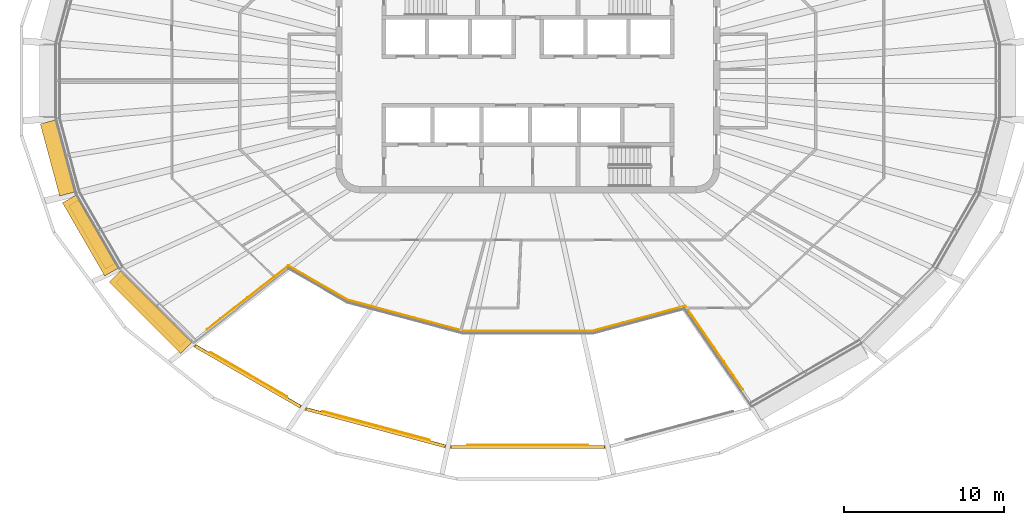
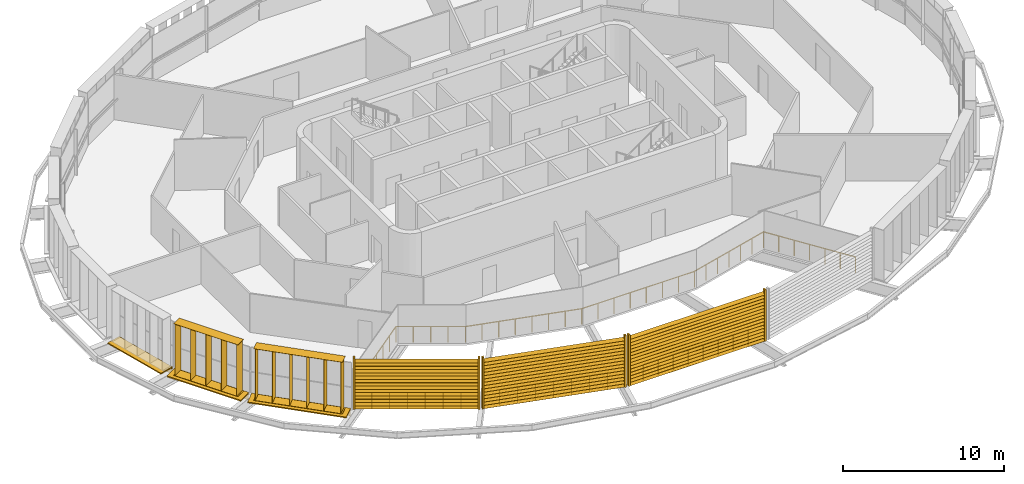
# One storey, part 15 of 19: 8 shading devices, 5 railings.
"""IFC4 building model written with IfcOpenShell, lengths in metres."""

from ifc_helpers import new_model, si_unit, direction, frame, origin, origin_2d, place, context, subcontext, project, spatial, rectangle, circle, extrude, material, type_object, element, save


model = new_model("IFC4")

# Units and contexts
model_context = context("Model", 3, precision=1e-05, world=origin(), true_north=direction((0.0, 1.0)))
body_context = subcontext(model_context, "Body", "Model", "MODEL_VIEW")
ifc_project = project(units=[si_unit("LENGTHUNIT", "METRE"), si_unit("AREAUNIT", "SQUARE_METRE"), si_unit("VOLUMEUNIT", "CUBIC_METRE"), si_unit("PLANEANGLEUNIT", "RADIAN"), si_unit("MASSUNIT", "GRAM", prefix="KILO")], contexts=[model_context])

# Site, building, storey
site_placement = place(None, origin())
site = spatial("IfcSite", under=ifc_project, at=site_placement, CompositionType="ELEMENT")
building_placement = place(site_placement, origin())
building = spatial("IfcBuilding", under=site, at=building_placement, Name="Sahrelin Media Tower", CompositionType="ELEMENT")
storey_placement = place(building_placement, frame((0.0, 0.0, 275.0)))
storey = spatial("IfcBuildingStorey", under=building, at=storey_placement, Name="L60", CompositionType="ELEMENT", Elevation=275.0)

# Shading devices
ifc_material_1 = material(Name="Champagne anodised aluminium 6063-T6", Category="aluminium")
shading_device_type_1 = type_object("IfcShadingDeviceType", Name="Fin cassette", PredefinedType="USERDEFINED", material=ifc_material_1)
placement_1 = place(storey_placement, frame((-26.886962890625, -9.400146484375, 0.0), z_axis=(0.0, 0.0, 1.0), x_axis=(-0.500011000363, 0.866019052629, 0.0)))
element("IfcShadingDevice", 1, at=placement_1, inside=storey, type_object=shading_device_type_1, Name="L60:FIN:L60-14", ObjectType="FIN", PredefinedType="USERDEFINED", context=body_context, shape_type="SweptSolid", body=[
    extrude(rectangle(XDim=4.60009765625, YDim=0.699951171875, at=origin_2d()), frame((0.0, 0.419921875, 0.0)), (0.0, 0.0, 1.0), 0.02001953125),
    extrude(rectangle(XDim=4.60009765625, YDim=0.699951171875, at=origin_2d()), frame((0.0, 0.419921875, 3.89990234375)), (0.0, 0.0, 1.0), 0.02001953125),
    extrude(rectangle(XDim=0.02001953125, YDim=0.699951171875, at=origin_2d()), frame((-2.199951171875, 0.419921875, 0.010009765625), z_axis=(0.0, 0.0, 1.0), x_axis=(1.0, 0.0, 0.0)), (0.0, 0.0, 1.0), 3.89990234375),
    extrude(rectangle(XDim=0.02001953125, YDim=0.699951171875, at=origin_2d()), frame((-1.10009765625, 0.419921875, 0.010009765625), z_axis=(0.0, 0.0, 1.0), x_axis=(1.0, 0.0, 0.0)), (0.0, 0.0, 1.0), 3.89990234375),
    extrude(rectangle(XDim=0.02001953125, YDim=0.699951171875, at=origin_2d()), frame((0.0, 0.419921875, 0.010009765625), z_axis=(0.0, 0.0, 1.0), x_axis=(1.0, 0.0, 0.0)), (0.0, 0.0, 1.0), 3.89990234375),
    extrude(rectangle(XDim=0.02001953125, YDim=0.699951171875, at=origin_2d()), frame((1.10009765625, 0.419921875, 0.010009765625), z_axis=(0.0, 0.0, 1.0), x_axis=(1.0, 0.0, 0.0)), (0.0, 0.0, 1.0), 3.89990234375),
    extrude(rectangle(XDim=0.02001953125, YDim=0.699951171875, at=origin_2d()), frame((2.199951171875, 0.419921875, 0.010009765625), z_axis=(0.0, 0.0, 1.0), x_axis=(1.0, 0.0, 0.0)), (0.0, 0.0, 1.0), 3.89990234375),
])
placement_2 = place(storey_placement, frame((-23.20849609375, -14.080322265625, 0.0), z_axis=(0.0, 0.0, 1.0), x_axis=(-0.707106781187, 0.707106781187, 0.0)))
element("IfcShadingDevice", 2, at=placement_2, inside=storey, type_object=shading_device_type_1, Name="L60:FIN:L60-15", ObjectType="FIN", PredefinedType="USERDEFINED", context=body_context, shape_type="SweptSolid", body=[
    extrude(rectangle(XDim=5.699951171875, YDim=0.699951171875, at=origin_2d()), frame((0.0, 0.419921875, 0.0)), (0.0, 0.0, 1.0), 0.02001953125),
    extrude(rectangle(XDim=5.699951171875, YDim=0.699951171875, at=origin_2d()), frame((0.0, 0.419921875, 3.89990234375)), (0.0, 0.0, 1.0), 0.02001953125),
    extrude(rectangle(XDim=0.02001953125, YDim=0.699951171875, at=origin_2d()), frame((-2.75, 0.419921875, 0.010009765625), z_axis=(0.0, 0.0, 1.0), x_axis=(1.0, 0.0, 0.0)), (0.0, 0.0, 1.0), 3.89990234375),
    extrude(rectangle(XDim=0.02001953125, YDim=0.699951171875, at=origin_2d()), frame((-1.64990234375, 0.419921875, 0.010009765625), z_axis=(0.0, 0.0, 1.0), x_axis=(1.0, 0.0, 0.0)), (0.0, 0.0, 1.0), 3.89990234375),
    extrude(rectangle(XDim=0.02001953125, YDim=0.699951171875, at=origin_2d()), frame((-0.550048828125, 0.419921875, 0.010009765625), z_axis=(0.0, 0.0, 1.0), x_axis=(1.0, 0.0, 0.0)), (0.0, 0.0, 1.0), 3.89990234375),
    extrude(rectangle(XDim=0.02001953125, YDim=0.699951171875, at=origin_2d()), frame((0.550048828125, 0.419921875, 0.010009765625), z_axis=(0.0, 0.0, 1.0), x_axis=(1.0, 0.0, 0.0)), (0.0, 0.0, 1.0), 3.89990234375),
    extrude(rectangle(XDim=0.02001953125, YDim=0.699951171875, at=origin_2d()), frame((1.64990234375, 0.419921875, 0.010009765625), z_axis=(0.0, 0.0, 1.0), x_axis=(1.0, 0.0, 0.0)), (0.0, 0.0, 1.0), 3.89990234375),
    extrude(rectangle(XDim=0.02001953125, YDim=0.699951171875, at=origin_2d()), frame((2.75, 0.419921875, 0.010009765625), z_axis=(0.0, 0.0, 1.0), x_axis=(1.0, 0.0, 0.0)), (0.0, 0.0, 1.0), 3.89990234375),
])
shading_device_type_2 = type_object("IfcShadingDeviceType", Name="Garden screen", PredefinedType="USERDEFINED", material=ifc_material_1)
shading_device_3_placement = place(storey_placement, frame((-17.451416015625, -18.380615234375, 0.0), z_axis=(0.0, 0.0, 1.0), x_axis=(-0.866019052629, 0.500011000363, 0.0)))
element("IfcShadingDevice", 3, at=shading_device_3_placement, inside=storey, type_object=shading_device_type_2, Name="L60:SCREEN:L60-16", ObjectType="SCREEN", PredefinedType="USERDEFINED", context=body_context, shape_type="SweptSolid", body=[
    extrude(rectangle(XDim=0.1201171875, YDim=0.199951171875, at=origin_2d()), frame((3.87060546875, 0.10009765625, 0.050048828125), z_axis=(0.0, 0.0, 1.0), x_axis=(1.0, 0.0, 0.0)), (0.0, 0.0, 1.0), 3.89990234375),
    extrude(rectangle(XDim=0.1201171875, YDim=0.199951171875, at=origin_2d()), frame((-3.87060546875, 0.10009765625, 0.050048828125), z_axis=(0.0, 0.0, 1.0), x_axis=(1.0, 0.0, 0.0)), (0.0, 0.0, 1.0), 3.89990234375),
    extrude(rectangle(XDim=0.25, YDim=0.02001953125, at=origin_2d()), frame((3.810791015625, 0.10009765625, 0.14990234375), z_axis=(-1.0, 0.0, 0.0), x_axis=(0.0, -0.766044443119, 0.642787609687)), (0.0, 0.0, 1.0), 7.62158203125),
    extrude(rectangle(XDim=0.25, YDim=0.02001953125, at=origin_2d()), frame((3.810791015625, 0.10009765625, 0.39990234375), z_axis=(-1.0, 0.0, 0.0), x_axis=(0.0, -0.766044443119, 0.642787609687)), (0.0, 0.0, 1.0), 7.62158203125),
    extrude(rectangle(XDim=0.25, YDim=0.02001953125, at=origin_2d()), frame((3.810791015625, 0.10009765625, 0.64990234375), z_axis=(-1.0, 0.0, 0.0), x_axis=(0.0, -0.766044443119, 0.642787609687)), (0.0, 0.0, 1.0), 7.62158203125),
    extrude(rectangle(XDim=0.25, YDim=0.02001953125, at=origin_2d()), frame((3.810791015625, 0.10009765625, 0.89990234375), z_axis=(-1.0, 0.0, 0.0), x_axis=(0.0, -0.766044443119, 0.642787609687)), (0.0, 0.0, 1.0), 7.62158203125),
    extrude(rectangle(XDim=0.25, YDim=0.02001953125, at=origin_2d()), frame((3.810791015625, 0.10009765625, 1.14990234375), z_axis=(-1.0, 0.0, 0.0), x_axis=(0.0, -0.766044443119, 0.642787609687)), (0.0, 0.0, 1.0), 7.62158203125),
    extrude(rectangle(XDim=0.25, YDim=0.02001953125, at=origin_2d()), frame((3.810791015625, 0.10009765625, 1.39990234375), z_axis=(-1.0, 0.0, 0.0), x_axis=(0.0, -0.766044443119, 0.642787609687)), (0.0, 0.0, 1.0), 7.62158203125),
    extrude(rectangle(XDim=0.25, YDim=0.02001953125, at=origin_2d()), frame((3.810791015625, 0.10009765625, 1.64990234375), z_axis=(-1.0, 0.0, 0.0), x_axis=(0.0, -0.766044443119, 0.642787609687)), (0.0, 0.0, 1.0), 7.62158203125),
    extrude(rectangle(XDim=0.25, YDim=0.02001953125, at=origin_2d()), frame((3.810791015625, 0.10009765625, 1.89990234375), z_axis=(-1.0, 0.0, 0.0), x_axis=(0.0, -0.766044443119, 0.642787609687)), (0.0, 0.0, 1.0), 7.62158203125),
    extrude(rectangle(XDim=0.25, YDim=0.02001953125, at=origin_2d()), frame((3.810791015625, 0.10009765625, 2.14990234375), z_axis=(-1.0, 0.0, 0.0), x_axis=(0.0, -0.766044443119, 0.642787609687)), (0.0, 0.0, 1.0), 7.62158203125),
    extrude(rectangle(XDim=0.25, YDim=0.02001953125, at=origin_2d()), frame((3.810791015625, 0.10009765625, 2.39990234375), z_axis=(-1.0, 0.0, 0.0), x_axis=(0.0, -0.766044443119, 0.642787609687)), (0.0, 0.0, 1.0), 7.62158203125),
    extrude(rectangle(XDim=0.25, YDim=0.02001953125, at=origin_2d()), frame((3.810791015625, 0.10009765625, 2.64990234375), z_axis=(-1.0, 0.0, 0.0), x_axis=(0.0, -0.766044443119, 0.642787609687)), (0.0, 0.0, 1.0), 7.62158203125),
    extrude(rectangle(XDim=0.25, YDim=0.02001953125, at=origin_2d()), frame((3.810791015625, 0.10009765625, 2.89990234375), z_axis=(-1.0, 0.0, 0.0), x_axis=(0.0, -0.766044443119, 0.642787609687)), (0.0, 0.0, 1.0), 7.62158203125),
    extrude(rectangle(XDim=0.25, YDim=0.02001953125, at=origin_2d()), frame((3.810791015625, 0.10009765625, 3.14990234375), z_axis=(-1.0, 0.0, 0.0), x_axis=(0.0, -0.766044443119, 0.642787609687)), (0.0, 0.0, 1.0), 7.62158203125),
    extrude(rectangle(XDim=0.25, YDim=0.02001953125, at=origin_2d()), frame((3.810791015625, 0.10009765625, 3.39990234375), z_axis=(-1.0, 0.0, 0.0), x_axis=(0.0, -0.766044443119, 0.642787609687)), (0.0, 0.0, 1.0), 7.62158203125),
    extrude(rectangle(XDim=0.25, YDim=0.02001953125, at=origin_2d()), frame((3.810791015625, 0.10009765625, 3.64990234375), z_axis=(-1.0, 0.0, 0.0), x_axis=(0.0, -0.766044443119, 0.642787609687)), (0.0, 0.0, 1.0), 7.62158203125),
])
shading_device_4_placement = place(storey_placement, frame((-9.489501953125, -21.58056640625, 0.0), z_axis=(0.0, 0.0, 1.0), x_axis=(-0.965928857556, 0.258807731996, 0.0)))
element("IfcShadingDevice", 4, at=shading_device_4_placement, inside=storey, type_object=shading_device_type_2, Name="L60:SCREEN:L60-17", ObjectType="SCREEN", PredefinedType="USERDEFINED", context=body_context, shape_type="SweptSolid", body=[
    extrude(rectangle(XDim=0.1201171875, YDim=0.199951171875, at=origin_2d()), frame((4.563720703125, 0.10009765625, 0.050048828125), z_axis=(0.0, 0.0, 1.0), x_axis=(1.0, 0.0, 0.0)), (0.0, 0.0, 1.0), 3.89990234375),
    extrude(rectangle(XDim=0.1201171875, YDim=0.199951171875, at=origin_2d()), frame((-4.563720703125, 0.10009765625, 0.050048828125), z_axis=(0.0, 0.0, 1.0), x_axis=(1.0, 0.0, 0.0)), (0.0, 0.0, 1.0), 3.89990234375),
    extrude(rectangle(XDim=0.25, YDim=0.02001953125, at=origin_2d()), frame((4.503662109375, 0.10009765625, 0.14990234375), z_axis=(-1.0, 0.0, 0.0), x_axis=(0.0, -0.766044443119, 0.642787609687)), (0.0, 0.0, 1.0), 9.00732421875),
    extrude(rectangle(XDim=0.25, YDim=0.02001953125, at=origin_2d()), frame((4.503662109375, 0.10009765625, 0.39990234375), z_axis=(-1.0, 0.0, 0.0), x_axis=(0.0, -0.766044443119, 0.642787609687)), (0.0, 0.0, 1.0), 9.00732421875),
    extrude(rectangle(XDim=0.25, YDim=0.02001953125, at=origin_2d()), frame((4.503662109375, 0.10009765625, 0.64990234375), z_axis=(-1.0, 0.0, 0.0), x_axis=(0.0, -0.766044443119, 0.642787609687)), (0.0, 0.0, 1.0), 9.00732421875),
    extrude(rectangle(XDim=0.25, YDim=0.02001953125, at=origin_2d()), frame((4.503662109375, 0.10009765625, 0.89990234375), z_axis=(-1.0, 0.0, 0.0), x_axis=(0.0, -0.766044443119, 0.642787609687)), (0.0, 0.0, 1.0), 9.00732421875),
    extrude(rectangle(XDim=0.25, YDim=0.02001953125, at=origin_2d()), frame((4.503662109375, 0.10009765625, 1.14990234375), z_axis=(-1.0, 0.0, 0.0), x_axis=(0.0, -0.766044443119, 0.642787609687)), (0.0, 0.0, 1.0), 9.00732421875),
    extrude(rectangle(XDim=0.25, YDim=0.02001953125, at=origin_2d()), frame((4.503662109375, 0.10009765625, 1.39990234375), z_axis=(-1.0, 0.0, 0.0), x_axis=(0.0, -0.766044443119, 0.642787609687)), (0.0, 0.0, 1.0), 9.00732421875),
    extrude(rectangle(XDim=0.25, YDim=0.02001953125, at=origin_2d()), frame((4.503662109375, 0.10009765625, 1.64990234375), z_axis=(-1.0, 0.0, 0.0), x_axis=(0.0, -0.766044443119, 0.642787609687)), (0.0, 0.0, 1.0), 9.00732421875),
    extrude(rectangle(XDim=0.25, YDim=0.02001953125, at=origin_2d()), frame((4.503662109375, 0.10009765625, 1.89990234375), z_axis=(-1.0, 0.0, 0.0), x_axis=(0.0, -0.766044443119, 0.642787609687)), (0.0, 0.0, 1.0), 9.00732421875),
    extrude(rectangle(XDim=0.25, YDim=0.02001953125, at=origin_2d()), frame((4.503662109375, 0.10009765625, 2.14990234375), z_axis=(-1.0, 0.0, 0.0), x_axis=(0.0, -0.766044443119, 0.642787609687)), (0.0, 0.0, 1.0), 9.00732421875),
    extrude(rectangle(XDim=0.25, YDim=0.02001953125, at=origin_2d()), frame((4.503662109375, 0.10009765625, 2.39990234375), z_axis=(-1.0, 0.0, 0.0), x_axis=(0.0, -0.766044443119, 0.642787609687)), (0.0, 0.0, 1.0), 9.00732421875),
    extrude(rectangle(XDim=0.25, YDim=0.02001953125, at=origin_2d()), frame((4.503662109375, 0.10009765625, 2.64990234375), z_axis=(-1.0, 0.0, 0.0), x_axis=(0.0, -0.766044443119, 0.642787609687)), (0.0, 0.0, 1.0), 9.00732421875),
    extrude(rectangle(XDim=0.25, YDim=0.02001953125, at=origin_2d()), frame((4.503662109375, 0.10009765625, 2.89990234375), z_axis=(-1.0, 0.0, 0.0), x_axis=(0.0, -0.766044443119, 0.642787609687)), (0.0, 0.0, 1.0), 9.00732421875),
    extrude(rectangle(XDim=0.25, YDim=0.02001953125, at=origin_2d()), frame((4.503662109375, 0.10009765625, 3.14990234375), z_axis=(-1.0, 0.0, 0.0), x_axis=(0.0, -0.766044443119, 0.642787609687)), (0.0, 0.0, 1.0), 9.00732421875),
    extrude(rectangle(XDim=0.25, YDim=0.02001953125, at=origin_2d()), frame((4.503662109375, 0.10009765625, 3.39990234375), z_axis=(-1.0, 0.0, 0.0), x_axis=(0.0, -0.766044443119, 0.642787609687)), (0.0, 0.0, 1.0), 9.00732421875),
    extrude(rectangle(XDim=0.25, YDim=0.02001953125, at=origin_2d()), frame((4.503662109375, 0.10009765625, 3.64990234375), z_axis=(-1.0, 0.0, 0.0), x_axis=(0.0, -0.766044443119, 0.642787609687)), (0.0, 0.0, 1.0), 9.00732421875),
])
shading_device_5_placement = place(storey_placement, frame((0.0, -22.790283203125, 0.0), z_axis=(0.0, 0.0, 1.0), x_axis=(-1.0, 0.0, 0.0)))
element("IfcShadingDevice", 5, at=shading_device_5_placement, inside=storey, type_object=shading_device_type_2, Name="L60:SCREEN:L60-18", ObjectType="SCREEN", PredefinedType="USERDEFINED", context=body_context, shape_type="SweptSolid", body=[
    extrude(rectangle(XDim=0.1201171875, YDim=0.199951171875, at=origin_2d()), frame((4.865234375, 0.10009765625, 0.050048828125), z_axis=(0.0, 0.0, 1.0), x_axis=(1.0, 0.0, 0.0)), (0.0, 0.0, 1.0), 3.89990234375),
    extrude(rectangle(XDim=0.1201171875, YDim=0.199951171875, at=origin_2d()), frame((-4.865234375, 0.10009765625, 0.050048828125), z_axis=(0.0, 0.0, 1.0), x_axis=(1.0, 0.0, 0.0)), (0.0, 0.0, 1.0), 3.89990234375),
    extrude(rectangle(XDim=0.25, YDim=0.02001953125, at=origin_2d()), frame((4.80517578125, 0.10009765625, 0.14990234375), z_axis=(-1.0, 0.0, 0.0), x_axis=(0.0, -0.766044443119, 0.642787609687)), (0.0, 0.0, 1.0), 9.6103515625),
    extrude(rectangle(XDim=0.25, YDim=0.02001953125, at=origin_2d()), frame((4.80517578125, 0.10009765625, 0.39990234375), z_axis=(-1.0, 0.0, 0.0), x_axis=(0.0, -0.766044443119, 0.642787609687)), (0.0, 0.0, 1.0), 9.6103515625),
    extrude(rectangle(XDim=0.25, YDim=0.02001953125, at=origin_2d()), frame((4.80517578125, 0.10009765625, 0.64990234375), z_axis=(-1.0, 0.0, 0.0), x_axis=(0.0, -0.766044443119, 0.642787609687)), (0.0, 0.0, 1.0), 9.6103515625),
    extrude(rectangle(XDim=0.25, YDim=0.02001953125, at=origin_2d()), frame((4.80517578125, 0.10009765625, 0.89990234375), z_axis=(-1.0, 0.0, 0.0), x_axis=(0.0, -0.766044443119, 0.642787609687)), (0.0, 0.0, 1.0), 9.6103515625),
    extrude(rectangle(XDim=0.25, YDim=0.02001953125, at=origin_2d()), frame((4.80517578125, 0.10009765625, 1.14990234375), z_axis=(-1.0, 0.0, 0.0), x_axis=(0.0, -0.766044443119, 0.642787609687)), (0.0, 0.0, 1.0), 9.6103515625),
    extrude(rectangle(XDim=0.25, YDim=0.02001953125, at=origin_2d()), frame((4.80517578125, 0.10009765625, 1.39990234375), z_axis=(-1.0, 0.0, 0.0), x_axis=(0.0, -0.766044443119, 0.642787609687)), (0.0, 0.0, 1.0), 9.6103515625),
    extrude(rectangle(XDim=0.25, YDim=0.02001953125, at=origin_2d()), frame((4.80517578125, 0.10009765625, 1.64990234375), z_axis=(-1.0, 0.0, 0.0), x_axis=(0.0, -0.766044443119, 0.642787609687)), (0.0, 0.0, 1.0), 9.6103515625),
    extrude(rectangle(XDim=0.25, YDim=0.02001953125, at=origin_2d()), frame((4.80517578125, 0.10009765625, 1.89990234375), z_axis=(-1.0, 0.0, 0.0), x_axis=(0.0, -0.766044443119, 0.642787609687)), (0.0, 0.0, 1.0), 9.6103515625),
    extrude(rectangle(XDim=0.25, YDim=0.02001953125, at=origin_2d()), frame((4.80517578125, 0.10009765625, 2.14990234375), z_axis=(-1.0, 0.0, 0.0), x_axis=(0.0, -0.766044443119, 0.642787609687)), (0.0, 0.0, 1.0), 9.6103515625),
    extrude(rectangle(XDim=0.25, YDim=0.02001953125, at=origin_2d()), frame((4.80517578125, 0.10009765625, 2.39990234375), z_axis=(-1.0, 0.0, 0.0), x_axis=(0.0, -0.766044443119, 0.642787609687)), (0.0, 0.0, 1.0), 9.6103515625),
    extrude(rectangle(XDim=0.25, YDim=0.02001953125, at=origin_2d()), frame((4.80517578125, 0.10009765625, 2.64990234375), z_axis=(-1.0, 0.0, 0.0), x_axis=(0.0, -0.766044443119, 0.642787609687)), (0.0, 0.0, 1.0), 9.6103515625),
    extrude(rectangle(XDim=0.25, YDim=0.02001953125, at=origin_2d()), frame((4.80517578125, 0.10009765625, 2.89990234375), z_axis=(-1.0, 0.0, 0.0), x_axis=(0.0, -0.766044443119, 0.642787609687)), (0.0, 0.0, 1.0), 9.6103515625),
    extrude(rectangle(XDim=0.25, YDim=0.02001953125, at=origin_2d()), frame((4.80517578125, 0.10009765625, 3.14990234375), z_axis=(-1.0, 0.0, 0.0), x_axis=(0.0, -0.766044443119, 0.642787609687)), (0.0, 0.0, 1.0), 9.6103515625),
    extrude(rectangle(XDim=0.25, YDim=0.02001953125, at=origin_2d()), frame((4.80517578125, 0.10009765625, 3.39990234375), z_axis=(-1.0, 0.0, 0.0), x_axis=(0.0, -0.766044443119, 0.642787609687)), (0.0, 0.0, 1.0), 9.6103515625),
    extrude(rectangle(XDim=0.25, YDim=0.02001953125, at=origin_2d()), frame((4.80517578125, 0.10009765625, 3.64990234375), z_axis=(-1.0, 0.0, 0.0), x_axis=(0.0, -0.766044443119, 0.642787609687)), (0.0, 0.0, 1.0), 9.6103515625),
])

# Railings
ifc_material_2 = material(Name="Stainless steel 316", Category="steel")
railing_type = type_object("IfcRailingType", Name="Sky garden guard", PredefinedType="GUARDRAIL", material=ifc_material_2)
railing_1_placement = place(storey_placement, frame((-14.975341796875, -11.553955078125, 0.0)))
element("IfcRailing", 6, at=railing_1_placement, inside=storey, type_object=railing_type, Name="Sky garden void guard G5-1", PredefinedType="GUARDRAIL", context=body_context, shape_type="SweptSolid", body=[
    extrude(circle(Radius=0.02392578125, at=origin_2d()), frame((0.0, 0.0, 1.17578125), z_axis=(0.866041209536, -0.499972622635, 0.0), x_axis=(0.499972622635, 0.866041209536, 0.0)), (0.0, 0.0, 1.0), 4.308349609375),
    extrude(circle(Radius=0.02392578125, at=origin_2d()), frame((3.731201171875, -2.154052734375, 1.17578125), z_axis=(0.965920458131, -0.25883907851, 0.0), x_axis=(0.25883907851, 0.965920458131, 0.0)), (0.0, 0.0, 1.0), 7.464599609375),
    extrude(circle(Radius=0.02392578125, at=origin_2d()), frame((10.94140625, -4.086181640625, 1.17578125), z_axis=(1.0, 0.0, 0.0), x_axis=(0.0, 1.0, 0.0)), (0.0, 0.0, 1.0), 8.06787109375),
    extrude(circle(Radius=0.02392578125, at=origin_2d()), frame((19.00927734375, -4.086181640625, 1.17578125), z_axis=(0.965924565818, 0.2588237492, 0.0), x_axis=(-0.2588237492, 0.965924565818, 0.0)), (0.0, 0.0, 1.0), 6.0322265625),
    extrude(circle(Radius=0.02392578125, at=origin_2d()), frame((24.8359375, -2.52490234375, 1.17578125), z_axis=(0.566504259271, -0.824058811146, 0.0), x_axis=(0.824058811146, 0.566504259271, 0.0)), (0.0, 0.0, 1.0), 6.327392578125),
    extrude(circle(Radius=0.02099609375, at=origin_2d()), origin(), (0.0, 0.0, 1.0), 1.15185546875),
    extrude(circle(Radius=0.02099609375, at=origin_2d()), frame((0.932861328125, -0.53857421875, 0.0)), (0.0, 0.0, 1.0), 1.15185546875),
    extrude(circle(Radius=0.02099609375, at=origin_2d()), frame((1.86572265625, -1.0771484375, 0.0)), (0.0, 0.0, 1.0), 1.15185546875),
    extrude(circle(Radius=0.02099609375, at=origin_2d()), frame((2.79833984375, -1.615478515625, 0.0)), (0.0, 0.0, 1.0), 1.15185546875),
    extrude(circle(Radius=0.02099609375, at=origin_2d()), frame((3.731201171875, -2.154052734375, 0.0)), (0.0, 0.0, 1.0), 1.15185546875),
    extrude(circle(Radius=0.02099609375, at=origin_2d()), frame((4.76123046875, -2.43017578125, 0.0)), (0.0, 0.0, 1.0), 1.15185546875),
    extrude(circle(Radius=0.02099609375, at=origin_2d()), frame((5.791259765625, -2.7060546875, 0.0)), (0.0, 0.0, 1.0), 1.15185546875),
    extrude(circle(Radius=0.02099609375, at=origin_2d()), frame((6.8212890625, -2.982177734375, 0.0)), (0.0, 0.0, 1.0), 1.15185546875),
    extrude(circle(Radius=0.02099609375, at=origin_2d()), frame((7.851318359375, -3.258056640625, 0.0)), (0.0, 0.0, 1.0), 1.15185546875),
    extrude(circle(Radius=0.02099609375, at=origin_2d()), frame((8.88134765625, -3.5341796875, 0.0)), (0.0, 0.0, 1.0), 1.15185546875),
    extrude(circle(Radius=0.02099609375, at=origin_2d()), frame((9.911376953125, -3.81005859375, 0.0)), (0.0, 0.0, 1.0), 1.15185546875),
    extrude(circle(Radius=0.02099609375, at=origin_2d()), frame((10.94140625, -4.086181640625, 0.0)), (0.0, 0.0, 1.0), 1.15185546875),
    extrude(circle(Radius=0.02099609375, at=origin_2d()), frame((12.093994140625, -4.086181640625, 0.0)), (0.0, 0.0, 1.0), 1.15185546875),
    extrude(circle(Radius=0.02099609375, at=origin_2d()), frame((13.24658203125, -4.086181640625, 0.0)), (0.0, 0.0, 1.0), 1.15185546875),
    extrude(circle(Radius=0.02099609375, at=origin_2d()), frame((14.399169921875, -4.086181640625, 0.0)), (0.0, 0.0, 1.0), 1.15185546875),
    extrude(circle(Radius=0.02099609375, at=origin_2d()), frame((15.551513671875, -4.086181640625, 0.0)), (0.0, 0.0, 1.0), 1.15185546875),
    extrude(circle(Radius=0.02099609375, at=origin_2d()), frame((16.7041015625, -4.086181640625, 0.0)), (0.0, 0.0, 1.0), 1.15185546875),
    extrude(circle(Radius=0.02099609375, at=origin_2d()), frame((17.856689453125, -4.086181640625, 0.0)), (0.0, 0.0, 1.0), 1.15185546875),
    extrude(circle(Radius=0.02099609375, at=origin_2d()), frame((19.00927734375, -4.086181640625, 0.0)), (0.0, 0.0, 1.0), 1.15185546875),
    extrude(circle(Radius=0.02099609375, at=origin_2d()), frame((19.98046875, -3.825927734375, 0.0)), (0.0, 0.0, 1.0), 1.15185546875),
    extrude(circle(Radius=0.02099609375, at=origin_2d()), frame((20.951416015625, -3.565673828125, 0.0)), (0.0, 0.0, 1.0), 1.15185546875),
    extrude(circle(Radius=0.02099609375, at=origin_2d()), frame((21.922607421875, -3.3056640625, 0.0)), (0.0, 0.0, 1.0), 1.15185546875),
    extrude(circle(Radius=0.02099609375, at=origin_2d()), frame((22.893798828125, -3.04541015625, 0.0)), (0.0, 0.0, 1.0), 1.15185546875),
    extrude(circle(Radius=0.02099609375, at=origin_2d()), frame((23.86474609375, -2.78515625, 0.0)), (0.0, 0.0, 1.0), 1.15185546875),
    extrude(circle(Radius=0.02099609375, at=origin_2d()), frame((24.8359375, -2.52490234375, 0.0)), (0.0, 0.0, 1.0), 1.15185546875),
    extrude(circle(Radius=0.02099609375, at=origin_2d()), frame((25.433349609375, -3.39404296875, 0.0)), (0.0, 0.0, 1.0), 1.15185546875),
    extrude(circle(Radius=0.02099609375, at=origin_2d()), frame((26.03076171875, -4.262939453125, 0.0)), (0.0, 0.0, 1.0), 1.15185546875),
    extrude(circle(Radius=0.02099609375, at=origin_2d()), frame((26.628173828125, -5.1318359375, 0.0)), (0.0, 0.0, 1.0), 1.15185546875),
    extrude(circle(Radius=0.02099609375, at=origin_2d()), frame((27.2255859375, -6.0009765625, 0.0)), (0.0, 0.0, 1.0), 1.15185546875),
    extrude(circle(Radius=0.02099609375, at=origin_2d()), frame((27.822998046875, -6.8701171875, 0.0)), (0.0, 0.0, 1.0), 1.15185546875),
    extrude(circle(Radius=0.02099609375, at=origin_2d()), frame((28.42041015625, -7.739013671875, 0.0)), (0.0, 0.0, 1.0), 1.15185546875),
])
railing_2_placement = place(storey_placement, frame((3.75732421875, -22.767578125, 0.0)))
element("IfcRailing", 7, at=railing_2_placement, inside=storey, type_object=railing_type, Name="Sky garden void guard G5-3", PredefinedType="GUARDRAIL", context=body_context, shape_type="SweptSolid", body=[
    extrude(circle(Radius=0.02392578125, at=origin_2d()), frame((0.0, 0.0, 1.17578125), z_axis=(-1.0, 0.0, 0.0), x_axis=(0.0, -1.0, 0.0)), (0.0, 0.0, 1.0), 7.5146484375),
    extrude(circle(Radius=0.02099609375, at=origin_2d()), origin(), (0.0, 0.0, 1.0), 1.15185546875),
    extrude(circle(Radius=0.02099609375, at=origin_2d()), frame((-1.073486328125, 0.0, 0.0)), (0.0, 0.0, 1.0), 1.15185546875),
    extrude(circle(Radius=0.02099609375, at=origin_2d()), frame((-2.14697265625, 0.0, 0.0)), (0.0, 0.0, 1.0), 1.15185546875),
    extrude(circle(Radius=0.02099609375, at=origin_2d()), frame((-3.220458984375, 0.0, 0.0)), (0.0, 0.0, 1.0), 1.15185546875),
    extrude(circle(Radius=0.02099609375, at=origin_2d()), frame((-4.294189453125, 0.0, 0.0)), (0.0, 0.0, 1.0), 1.15185546875),
    extrude(circle(Radius=0.02099609375, at=origin_2d()), frame((-5.36767578125, 0.0, 0.0)), (0.0, 0.0, 1.0), 1.15185546875),
    extrude(circle(Radius=0.02099609375, at=origin_2d()), frame((-6.441162109375, 0.0, 0.0)), (0.0, 0.0, 1.0), 1.15185546875),
    extrude(circle(Radius=0.02099609375, at=origin_2d()), frame((-7.5146484375, 0.0, 0.0)), (0.0, 0.0, 1.0), 1.15185546875),
])
railing_3_placement = place(storey_placement, frame((-6.14208984375, -22.4541015625, 0.0)))
element("IfcRailing", 8, at=railing_3_placement, inside=storey, type_object=railing_type, Name="Sky garden void guard G5-4", PredefinedType="GUARDRAIL", context=body_context, shape_type="SweptSolid", body=[
    extrude(circle(Radius=0.02392578125, at=origin_2d()), frame((0.0, 0.0, 1.17578125), z_axis=(-0.965932614279, 0.258793710651, 0.0), x_axis=(-0.258793710651, -0.965932614279, 0.0)), (0.0, 0.0, 1.0), 6.917724609375),
    extrude(circle(Radius=0.02099609375, at=origin_2d()), origin(), (0.0, 0.0, 1.0), 1.15185546875),
    extrude(circle(Radius=0.02099609375, at=origin_2d()), frame((-1.11376953125, 0.29833984375, 0.0)), (0.0, 0.0, 1.0), 1.15185546875),
    extrude(circle(Radius=0.02099609375, at=origin_2d()), frame((-2.227294921875, 0.5966796875, 0.0)), (0.0, 0.0, 1.0), 1.15185546875),
    extrude(circle(Radius=0.02099609375, at=origin_2d()), frame((-3.341064453125, 0.89501953125, 0.0)), (0.0, 0.0, 1.0), 1.15185546875),
    extrude(circle(Radius=0.02099609375, at=origin_2d()), frame((-4.454833984375, 1.193603515625, 0.0)), (0.0, 0.0, 1.0), 1.15185546875),
    extrude(circle(Radius=0.02099609375, at=origin_2d()), frame((-5.568359375, 1.491943359375, 0.0)), (0.0, 0.0, 1.0), 1.15185546875),
    extrude(circle(Radius=0.02099609375, at=origin_2d()), frame((-6.68212890625, 1.790283203125, 0.0)), (0.0, 0.0, 1.0), 1.15185546875),
])
railing_4_placement = place(storey_placement, frame((-15.04541015625, -19.74365234375, 0.0)))
element("IfcRailing", 9, at=railing_4_placement, inside=storey, type_object=railing_type, Name="Sky garden void guard G5-5", PredefinedType="GUARDRAIL", context=body_context, shape_type="SweptSolid", body=[
    extrude(circle(Radius=0.02392578125, at=origin_2d()), frame((0.0, 0.0, 1.17578125), z_axis=(-0.866031984028, 0.49998860251, 0.0), x_axis=(-0.49998860251, -0.866031984028, 0.0)), (0.0, 0.0, 1.0), 5.531982421875),
    extrude(circle(Radius=0.02099609375, at=origin_2d()), origin(), (0.0, 0.0, 1.0), 1.15185546875),
    extrude(circle(Radius=0.02099609375, at=origin_2d()), frame((-0.958251953125, 0.55322265625, 0.0)), (0.0, 0.0, 1.0), 1.15185546875),
    extrude(circle(Radius=0.02099609375, at=origin_2d()), frame((-1.916259765625, 1.1064453125, 0.0)), (0.0, 0.0, 1.0), 1.15185546875),
    extrude(circle(Radius=0.02099609375, at=origin_2d()), frame((-2.87451171875, 1.659423828125, 0.0)), (0.0, 0.0, 1.0), 1.15185546875),
    extrude(circle(Radius=0.02099609375, at=origin_2d()), frame((-3.83251953125, 2.212646484375, 0.0)), (0.0, 0.0, 1.0), 1.15185546875),
    extrude(circle(Radius=0.02099609375, at=origin_2d()), frame((-4.790771484375, 2.765869140625, 0.0)), (0.0, 0.0, 1.0), 1.15185546875),
])
railing_5_placement = place(storey_placement, frame((-20.038818359375, -15.525146484375, 0.0)))
element("IfcRailing", 10, at=railing_5_placement, inside=storey, type_object=railing_type, Name="Sky garden void guard G5-6", PredefinedType="GUARDRAIL", context=body_context, shape_type="SweptSolid", body=[
    extrude(circle(Radius=0.02392578125, at=origin_2d()), frame((0.0, 0.0, 1.17578125), z_axis=(0.786865699454, 0.617124275185, 0.0), x_axis=(-0.617124275185, 0.786865699454, 0.0)), (0.0, 0.0, 1.0), 6.43505859375),
    extrude(circle(Radius=0.02099609375, at=origin_2d()), origin(), (0.0, 0.0, 1.0), 1.15185546875),
    extrude(circle(Radius=0.02099609375, at=origin_2d()), frame((0.843994140625, 0.661865234375, 0.0)), (0.0, 0.0, 1.0), 1.15185546875),
    extrude(circle(Radius=0.02099609375, at=origin_2d()), frame((1.687744140625, 1.32373046875, 0.0)), (0.0, 0.0, 1.0), 1.15185546875),
    extrude(circle(Radius=0.02099609375, at=origin_2d()), frame((2.53173828125, 1.985595703125, 0.0)), (0.0, 0.0, 1.0), 1.15185546875),
    extrude(circle(Radius=0.02099609375, at=origin_2d()), frame((3.375732421875, 2.6474609375, 0.0)), (0.0, 0.0, 1.0), 1.15185546875),
    extrude(circle(Radius=0.02099609375, at=origin_2d()), frame((4.219482421875, 3.309326171875, 0.0)), (0.0, 0.0, 1.0), 1.15185546875),
    extrude(circle(Radius=0.02099609375, at=origin_2d()), frame((5.0634765625, 3.97119140625, 0.0)), (0.0, 0.0, 1.0), 1.15185546875),
])

# Shading devices
shading_device_type_3 = type_object("IfcShadingDeviceType", Name="Sunshade band", PredefinedType="USERDEFINED", material=ifc_material_1)
shading_device_6_placement = place(storey_placement, frame((-28.884765625, -4.681396484375, 0.0), z_axis=(0.0, 0.0, 1.0), x_axis=(-0.258807731996, 0.965928857556, 0.0)))
element("IfcShadingDevice", 11, at=shading_device_6_placement, inside=storey, type_object=shading_device_type_3, Name="L60:SUN:L60-13", ObjectType="SUNSHADE", PredefinedType="USERDEFINED", context=body_context, shape_type="SweptSolid", body=[
    extrude(rectangle(XDim=4.66259765625, YDim=0.050048828125, at=origin_2d()), frame((0.0, 0.044921875, -0.55126953125)), (0.0, 0.0, 1.0), 0.471435546875),
    extrude(rectangle(XDim=4.66259765625, YDim=1.0, at=origin_2d()), frame((0.0, 0.52001953125, -0.080078125)), (0.0, 0.0, 1.0), 0.080078125),
    extrude(rectangle(XDim=0.10009765625, YDim=0.074951171875, at=origin_2d()), frame((-2.231201171875, -0.017578125, -0.47021484375)), (0.0, 0.0, 1.0), 0.300048828125),
    extrude(rectangle(XDim=0.10009765625, YDim=0.074951171875, at=origin_2d()), frame((-0.743896484375, -0.017578125, -0.47021484375)), (0.0, 0.0, 1.0), 0.300048828125),
    extrude(rectangle(XDim=0.10009765625, YDim=0.074951171875, at=origin_2d()), frame((0.743896484375, -0.017578125, -0.47021484375)), (0.0, 0.0, 1.0), 0.300048828125),
    extrude(rectangle(XDim=0.10009765625, YDim=0.074951171875, at=origin_2d()), frame((2.231201171875, -0.017578125, -0.47021484375)), (0.0, 0.0, 1.0), 0.300048828125),
])
element("IfcShadingDevice", 12, at=placement_1, inside=storey, type_object=shading_device_type_3, Name="L60:SUN:L60-14", ObjectType="SUNSHADE", PredefinedType="USERDEFINED", context=body_context, shape_type="SweptSolid", body=[
    extrude(rectangle(XDim=5.27392578125, YDim=0.050048828125, at=origin_2d()), frame((0.0, 0.044921875, -0.55126953125)), (0.0, 0.0, 1.0), 0.471435546875),
    extrude(rectangle(XDim=5.27392578125, YDim=1.0, at=origin_2d()), frame((0.0, 0.52001953125, -0.080078125)), (0.0, 0.0, 1.0), 0.080078125),
    extrude(rectangle(XDim=0.10009765625, YDim=0.074951171875, at=origin_2d()), frame((-2.537109375, -0.017578125, -0.47021484375)), (0.0, 0.0, 1.0), 0.300048828125),
    extrude(rectangle(XDim=0.10009765625, YDim=0.074951171875, at=origin_2d()), frame((-0.845703125, -0.017578125, -0.47021484375)), (0.0, 0.0, 1.0), 0.300048828125),
    extrude(rectangle(XDim=0.10009765625, YDim=0.074951171875, at=origin_2d()), frame((0.845703125, -0.017578125, -0.47021484375)), (0.0, 0.0, 1.0), 0.300048828125),
    extrude(rectangle(XDim=0.10009765625, YDim=0.074951171875, at=origin_2d()), frame((2.537109375, -0.017578125, -0.47021484375)), (0.0, 0.0, 1.0), 0.300048828125),
])
element("IfcShadingDevice", 13, at=placement_2, inside=storey, type_object=shading_device_type_3, Name="L60:SUN:L60-15", ObjectType="SUNSHADE", PredefinedType="USERDEFINED", context=body_context, shape_type="SweptSolid", body=[
    extrude(rectangle(XDim=6.333251953125, YDim=0.050048828125, at=origin_2d()), frame((0.0, 0.044921875, -0.55126953125)), (0.0, 0.0, 1.0), 0.471435546875),
    extrude(rectangle(XDim=6.333251953125, YDim=1.0, at=origin_2d()), frame((0.0, 0.52001953125, -0.080078125)), (0.0, 0.0, 1.0), 0.080078125),
    extrude(rectangle(XDim=0.10009765625, YDim=0.074951171875, at=origin_2d()), frame((-3.066650390625, -0.017578125, -0.47021484375)), (0.0, 0.0, 1.0), 0.300048828125),
    extrude(rectangle(XDim=0.10009765625, YDim=0.074951171875, at=origin_2d()), frame((-1.533203125, -0.017578125, -0.47021484375)), (0.0, 0.0, 1.0), 0.300048828125),
    extrude(rectangle(XDim=0.10009765625, YDim=0.074951171875, at=origin_2d()), frame((0.0, -0.017578125, -0.47021484375)), (0.0, 0.0, 1.0), 0.300048828125),
    extrude(rectangle(XDim=0.10009765625, YDim=0.074951171875, at=origin_2d()), frame((1.533203125, -0.017578125, -0.47021484375)), (0.0, 0.0, 1.0), 0.300048828125),
    extrude(rectangle(XDim=0.10009765625, YDim=0.074951171875, at=origin_2d()), frame((3.066650390625, -0.017578125, -0.47021484375)), (0.0, 0.0, 1.0), 0.300048828125),
])

save(model, "model.ifc")
